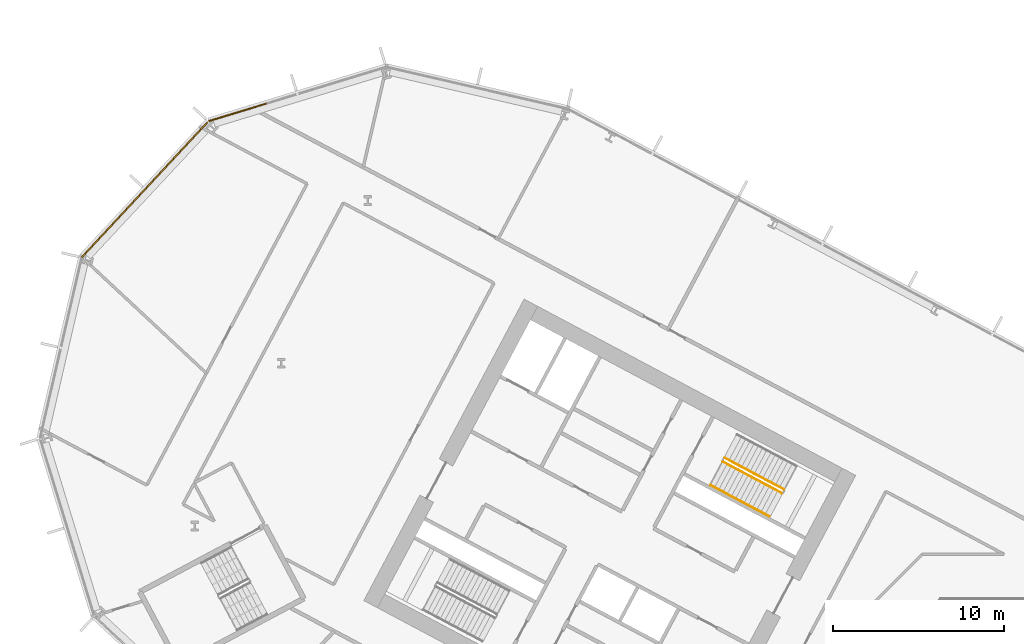
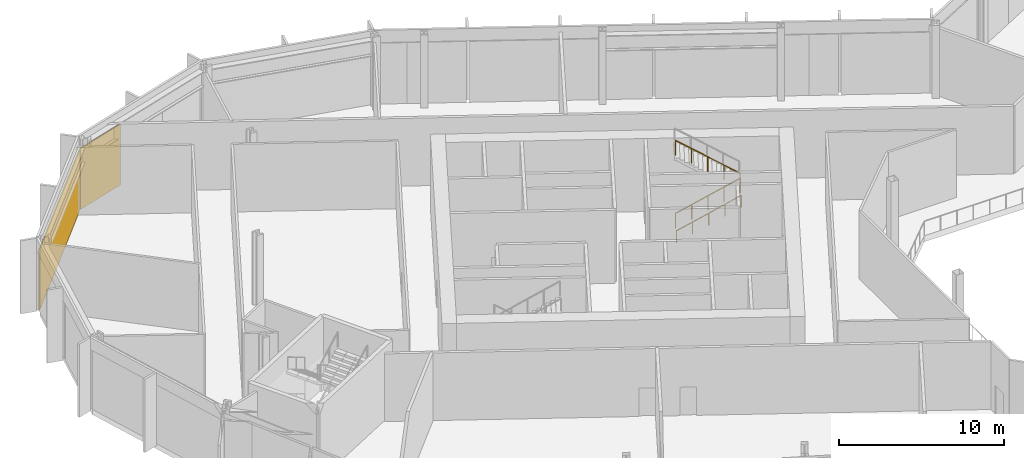
# One storey, part 24 of 32: 3 railings, 2 coverings, 2 elements without a shape of their own.
"""IFC4 building model written with IfcOpenShell, lengths in metres."""

from ifc_helpers import new_model, si_unit, direction, frame, origin, origin_2d, place, context, subcontext, project, spatial, polyline, rectangle, outline, extrude, material, layer, layer_set, type_object, element, aggregate, save


model = new_model("IFC4")

# Units and contexts
model_context = context("Model", 3, precision=1e-05, world=origin(), true_north=direction((0.0, 1.0)))
body_context = subcontext(model_context, "Body", "Model", "MODEL_VIEW")
ifc_project = project(units=[si_unit("LENGTHUNIT", "METRE"), si_unit("AREAUNIT", "SQUARE_METRE"), si_unit("VOLUMEUNIT", "CUBIC_METRE"), si_unit("PLANEANGLEUNIT", "RADIAN"), si_unit("MASSUNIT", "GRAM", prefix="KILO")], contexts=[model_context])

# Site, building, storey
site_placement = place(None, origin())
site = spatial("IfcSite", under=ifc_project, at=site_placement, CompositionType="ELEMENT")
building_placement = place(site_placement, origin())
building = spatial("IfcBuilding", under=site, at=building_placement, Name="Cormorant Relay Tower", CompositionType="ELEMENT")
storey_placement = place(building_placement, frame((0.0, 0.0, 60.800048828125)))
storey = spatial("IfcBuildingStorey", under=building, at=storey_placement, Name="L11", CompositionType="ELEMENT", Elevation=60.800048828125)

# Curtain wall, covering
ifc_material_1 = material(Name="Aluminium 6063-T6 anodised bronze", Category="aluminium")
ifc_layer_1 = layer(ifc_material_1, 0.235107421875)
ifc_layer_set_1 = layer_set([ifc_layer_1], Name="CW6 data hall curtain wall with mineral wool panels")
curtain_wall_type = type_object("IfcCurtainWallType", Name="CW6 data hall curtain wall with mineral wool panels", PredefinedType="NOTDEFINED", material=ifc_layer_set_1)
curtain_wall_1_placement = place(storey_placement, origin())
curtain_wall_1 = element("IfcCurtainWall", 1, at=curtain_wall_1_placement, inside=storey, type_object=curtain_wall_type, Name="CW6 curtain wall 9", PredefinedType="NOTDEFINED")
ifc_material_2 = material(Name="Mineral wool cored anodised bronze aluminium cassette panel", Category="aluminium")
ifc_layer_2 = layer(ifc_material_2, 0.074951171875)
ifc_layer_set_2 = layer_set([ifc_layer_2], Name="CW6 mineral wool cassette panel 75")
covering_type = type_object("IfcCoveringType", Name="CW6 mineral wool cassette panel 75", PredefinedType="CLADDING", material=ifc_layer_set_2)
covering_1_placement = place(storey_placement, frame((-49.169677734375, 39.491455078125, 0.0), z_axis=(0.0, 0.0, 1.0), x_axis=(-0.956304755963, -0.292371704723, 0.0)))
covering_1 = element("IfcCovering", 2, at=covering_1_placement, type_object=covering_type, Name="CW6 panel S03", PredefinedType="CLADDING", context=body_context, shape_type="SweptSolid", body=[
    extrude(rectangle(XDim=3.560302734375, YDim=0.074951171875, at=origin_2d()), origin(), (0.0, 0.0, 1.0), 4.5),
])
aggregate(curtain_wall_1, [covering_1])

curtain_wall_2_placement = place(storey_placement, origin())
curtain_wall_2 = element("IfcCurtainWall", 3, at=curtain_wall_2_placement, inside=storey, type_object=curtain_wall_type, Name="CW6 curtain wall 10", PredefinedType="NOTDEFINED")
covering_2_placement = place(storey_placement, frame((-54.62060546875, 34.958251953125, 0.0), z_axis=(0.0, 0.0, 1.0), x_axis=(-0.681998360062, -0.731353701619, 0.0)))
covering_2 = element("IfcCovering", 4, at=covering_2_placement, type_object=covering_type, Name="CW6 panel S00", PredefinedType="CLADDING", context=body_context, shape_type="SweptSolid", body=[
    extrude(rectangle(XDim=10.79541015625, YDim=0.074951171875, at=origin_2d()), origin(), (0.0, 0.0, 1.0), 4.5),
])
aggregate(curtain_wall_2, [covering_2])

# Railings
ifc_material_3 = material(Name="Steel ASTM A572 Grade 50 (Fy 345 MPa)", Category="steel")
railing_type_1 = type_object("IfcRailingType", Name="Stair guard 1100", PredefinedType="GUARDRAIL", material=ifc_material_3)
railing_1_placement = place(storey_placement, frame((-20.75048828125, 19.017822265625, 0.179931640625)))
element("IfcRailing", 5, at=railing_1_placement, inside=storey, type_object=railing_type_1, Name="L11 A1 stair guard 1", PredefinedType="GUARDRAIL", context=body_context, shape_type="SweptSolid", body=[
    extrude(outline(polyline([(0.022216796875, 0.00927734375), (0.00927734375, 0.022216796875), (-0.00927734375, 0.022216796875), (-0.022216796875, 0.00927734375), (-0.022216796875, -0.00927734375), (-0.00927734375, -0.022216796875), (0.00927734375, -0.022216796875), (0.022216796875, -0.00927734375), (0.022216796875, 0.00927734375)])), frame((0.0, 0.0, 1.076171875), z_axis=(0.74271721126, -0.394907409077, 0.540758062681), x_axis=(0.469469396681, 0.882948744594, 0.0)), (0.0, 0.0, 1.0), 4.66015625),
    extrude(outline(polyline([(0.019287109375, 0.008056640625), (0.008056640625, 0.019287109375), (-0.008056640625, 0.019287109375), (-0.019287109375, 0.008056640625), (-0.019287109375, -0.008056640625), (-0.008056640625, -0.019287109375), (0.008056640625, -0.019287109375), (0.019287109375, -0.008056640625), (0.019287109375, 0.008056640625)])), origin(), (0.0, 0.0, 1.0), 1.052001953125),
    extrude(outline(polyline([(0.019287109375, 0.008056640625), (0.008056640625, 0.019287109375), (-0.008056640625, 0.019287109375), (-0.019287109375, 0.008056640625), (-0.019287109375, -0.008056640625), (-0.008056640625, -0.019287109375), (0.008056640625, -0.019287109375), (0.019287109375, -0.008056640625), (0.019287109375, 0.008056640625)])), frame((0.865234375, -0.4599609375, 0.6298828125)), (0.0, 0.0, 1.0), 1.052001953125),
    extrude(outline(polyline([(0.019287109375, 0.008056640625), (0.008056640625, 0.019287109375), (-0.008056640625, 0.019287109375), (-0.019287109375, 0.008056640625), (-0.019287109375, -0.008056640625), (-0.008056640625, -0.019287109375), (0.008056640625, -0.019287109375), (0.019287109375, -0.008056640625), (0.019287109375, 0.008056640625)])), frame((1.73046875, -0.920166015625, 1.260009765625)), (0.0, 0.0, 1.0), 1.052001953125),
    extrude(outline(polyline([(0.019287109375, 0.008056640625), (0.008056640625, 0.019287109375), (-0.008056640625, 0.019287109375), (-0.019287109375, 0.008056640625), (-0.019287109375, -0.008056640625), (-0.008056640625, -0.019287109375), (0.008056640625, -0.019287109375), (0.019287109375, -0.008056640625), (0.019287109375, 0.008056640625)])), frame((2.595947265625, -1.38037109375, 1.89013671875)), (0.0, 0.0, 1.0), 1.052001953125),
    extrude(outline(polyline([(0.019287109375, 0.008056640625), (0.008056640625, 0.019287109375), (-0.008056640625, 0.019287109375), (-0.019287109375, 0.008056640625), (-0.019287109375, -0.008056640625), (-0.008056640625, -0.019287109375), (0.008056640625, -0.019287109375), (0.019287109375, -0.008056640625), (0.019287109375, 0.008056640625)])), frame((3.461181640625, -1.84033203125, 2.52001953125)), (0.0, 0.0, 1.0), 1.052001953125),
])
railing_2_placement = place(storey_placement, frame((-17.172119140625, 17.398193359375, 2.8798828125)))
element("IfcRailing", 6, at=railing_2_placement, inside=storey, type_object=railing_type_1, Name="L11 A1 stair guard 3", PredefinedType="GUARDRAIL", context=body_context, shape_type="SweptSolid", body=[
    extrude(outline(polyline([(0.022216796875, 0.00927734375), (0.00927734375, 0.022216796875), (-0.00927734375, 0.022216796875), (-0.022216796875, 0.00927734375), (-0.022216796875, -0.00927734375), (-0.00927734375, -0.022216796875), (0.00927734375, -0.022216796875), (0.022216796875, -0.00927734375), (0.022216796875, 0.00927734375)])), frame((0.0, 0.0, 1.076171875), z_axis=(-0.74271721126, 0.394907409077, 0.540758062681), x_axis=(-0.469469396681, -0.882948744594, 0.0)), (0.0, 0.0, 1.0), 4.66015625),
    extrude(outline(polyline([(0.019287109375, 0.008056640625), (0.008056640625, 0.019287109375), (-0.008056640625, 0.019287109375), (-0.019287109375, 0.008056640625), (-0.019287109375, -0.008056640625), (-0.008056640625, -0.019287109375), (0.008056640625, -0.019287109375), (0.019287109375, -0.008056640625), (0.019287109375, 0.008056640625)])), origin(), (0.0, 0.0, 1.0), 1.052001953125),
    extrude(outline(polyline([(0.019287109375, 0.008056640625), (0.008056640625, 0.019287109375), (-0.008056640625, 0.019287109375), (-0.019287109375, 0.008056640625), (-0.019287109375, -0.008056640625), (-0.008056640625, -0.019287109375), (0.008056640625, -0.019287109375), (0.019287109375, -0.008056640625), (0.019287109375, 0.008056640625)])), frame((-0.865234375, 0.4599609375, 0.6298828125)), (0.0, 0.0, 1.0), 1.052001953125),
    extrude(outline(polyline([(0.019287109375, 0.008056640625), (0.008056640625, 0.019287109375), (-0.008056640625, 0.019287109375), (-0.019287109375, 0.008056640625), (-0.019287109375, -0.008056640625), (-0.008056640625, -0.019287109375), (0.008056640625, -0.019287109375), (0.019287109375, -0.008056640625), (0.019287109375, 0.008056640625)])), frame((-1.73046875, 0.920166015625, 1.260009765625)), (0.0, 0.0, 1.0), 1.052001953125),
    extrude(outline(polyline([(0.019287109375, 0.008056640625), (0.008056640625, 0.019287109375), (-0.008056640625, 0.019287109375), (-0.019287109375, 0.008056640625), (-0.019287109375, -0.008056640625), (-0.008056640625, -0.019287109375), (0.008056640625, -0.019287109375), (0.019287109375, -0.008056640625), (0.019287109375, 0.008056640625)])), frame((-2.595947265625, 1.38037109375, 1.89013671875)), (0.0, 0.0, 1.0), 1.052001953125),
    extrude(outline(polyline([(0.019287109375, 0.008056640625), (0.008056640625, 0.019287109375), (-0.008056640625, 0.019287109375), (-0.019287109375, 0.008056640625), (-0.019287109375, -0.008056640625), (-0.008056640625, -0.019287109375), (0.008056640625, -0.019287109375), (0.019287109375, -0.008056640625), (0.019287109375, 0.008056640625)])), frame((-3.461181640625, 1.84033203125, 2.52001953125)), (0.0, 0.0, 1.0), 1.052001953125),
])
ifc_material_4 = material(Name="Steel ASTM A572 Grade 50 (Fy 345 MPa)", Category="steel")
railing_type_2 = type_object("IfcRailingType", Name="Stair handrail 900", PredefinedType="HANDRAIL", material=ifc_material_4)
railing_3_placement = place(storey_placement, frame((-21.478271484375, 17.6494140625, 0.179931640625)))
element("IfcRailing", 7, at=railing_3_placement, inside=storey, type_object=railing_type_2, Name="L11 A1 stair handrail 1", PredefinedType="HANDRAIL", context=body_context, shape_type="SweptSolid", body=[
    extrude(outline(polyline([(0.022216796875, 0.00927734375), (0.00927734375, 0.022216796875), (-0.00927734375, 0.022216796875), (-0.022216796875, 0.00927734375), (-0.022216796875, -0.00927734375), (-0.00927734375, -0.022216796875), (0.00927734375, -0.022216796875), (0.022216796875, -0.00927734375), (0.022216796875, 0.00927734375)])), frame((0.0, 0.0, 0.8759765625), z_axis=(0.74271721126, -0.394907409077, 0.540758062681), x_axis=(0.469469396681, 0.882948744594, 0.0)), (0.0, 0.0, 1.0), 4.66015625),
    extrude(outline(polyline([(0.019287109375, 0.008056640625), (0.008056640625, 0.019287109375), (-0.008056640625, 0.019287109375), (-0.019287109375, 0.008056640625), (-0.019287109375, -0.008056640625), (-0.008056640625, -0.019287109375), (0.008056640625, -0.019287109375), (0.019287109375, -0.008056640625), (0.019287109375, 0.008056640625)])), origin(), (0.0, 0.0, 1.0), 0.851806640625),
    extrude(outline(polyline([(0.019287109375, 0.008056640625), (0.008056640625, 0.019287109375), (-0.008056640625, 0.019287109375), (-0.019287109375, 0.008056640625), (-0.019287109375, -0.008056640625), (-0.008056640625, -0.019287109375), (0.008056640625, -0.019287109375), (0.019287109375, -0.008056640625), (0.019287109375, 0.008056640625)])), frame((0.865234375, -0.4599609375, 0.6298828125)), (0.0, 0.0, 1.0), 0.851806640625),
    extrude(outline(polyline([(0.019287109375, 0.008056640625), (0.008056640625, 0.019287109375), (-0.008056640625, 0.019287109375), (-0.019287109375, 0.008056640625), (-0.019287109375, -0.008056640625), (-0.008056640625, -0.019287109375), (0.008056640625, -0.019287109375), (0.019287109375, -0.008056640625), (0.019287109375, 0.008056640625)])), frame((1.73046875, -0.920166015625, 1.260009765625)), (0.0, 0.0, 1.0), 0.851806640625),
    extrude(outline(polyline([(0.019287109375, 0.008056640625), (0.008056640625, 0.019287109375), (-0.008056640625, 0.019287109375), (-0.019287109375, 0.008056640625), (-0.019287109375, -0.008056640625), (-0.008056640625, -0.019287109375), (0.008056640625, -0.019287109375), (0.019287109375, -0.008056640625), (0.019287109375, 0.008056640625)])), frame((2.595947265625, -1.38037109375, 1.89013671875)), (0.0, 0.0, 1.0), 0.851806640625),
    extrude(outline(polyline([(0.019287109375, 0.008056640625), (0.008056640625, 0.019287109375), (-0.008056640625, 0.019287109375), (-0.019287109375, 0.008056640625), (-0.019287109375, -0.008056640625), (-0.008056640625, -0.019287109375), (0.008056640625, -0.019287109375), (0.019287109375, -0.008056640625), (0.019287109375, 0.008056640625)])), frame((3.461181640625, -1.84033203125, 2.52001953125)), (0.0, 0.0, 1.0), 0.851806640625),
])

save(model, "model.ifc")
